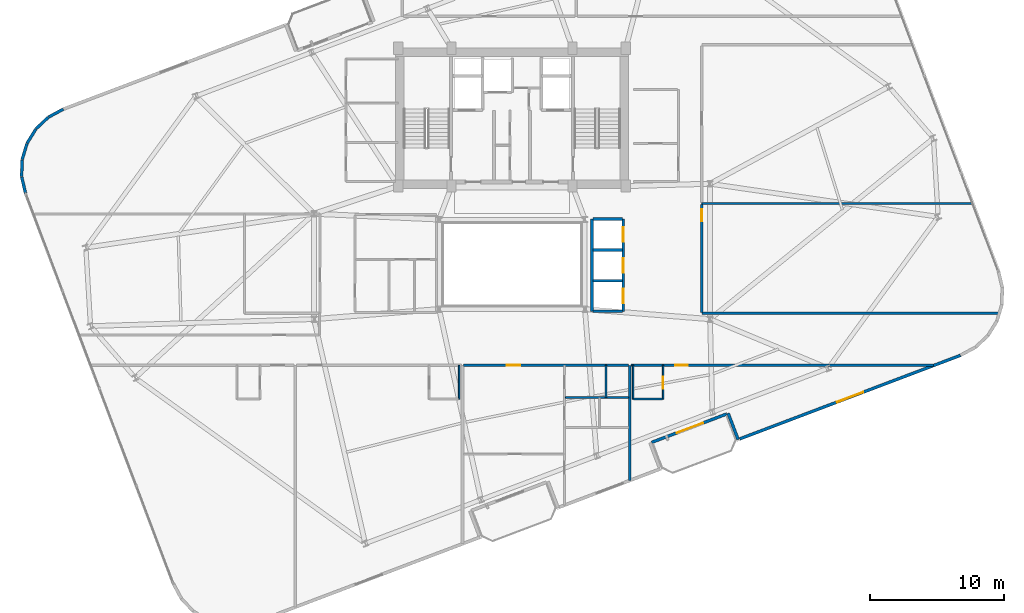
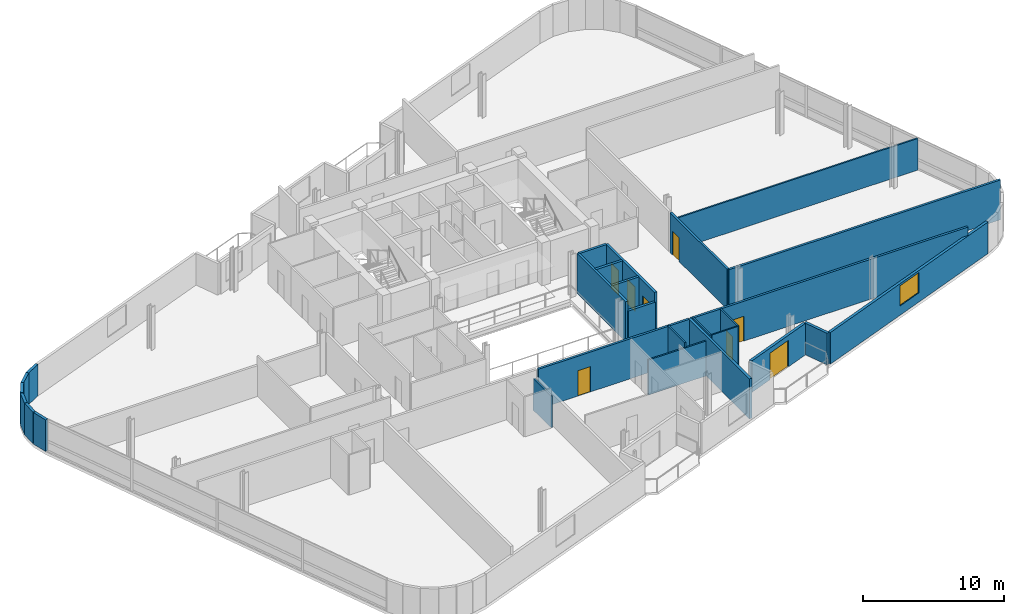
# One storey, part 15 of 20: 27 walls, 8 doors, 1 window, 9 openings.
"""IFC4 building model written with IfcOpenShell, lengths in metres."""

from ifc_helpers import new_model, si_unit, direction, frame, frame_2d, origin, place, context, subcontext, project, spatial, rectangle, extrude, material, layer, layer_set, type_object, element, fill, save


model = new_model("IFC4")

# Units and contexts
model_context = context("Model", 3, precision=1e-05, world=origin(), true_north=direction((0.0, 1.0)))
body_context = subcontext(model_context, "Body", "Model", "MODEL_VIEW")
ifc_project = project(units=[si_unit("LENGTHUNIT", "METRE"), si_unit("AREAUNIT", "SQUARE_METRE"), si_unit("VOLUMEUNIT", "CUBIC_METRE"), si_unit("PLANEANGLEUNIT", "RADIAN"), si_unit("MASSUNIT", "GRAM", prefix="KILO")], contexts=[model_context])

# Site, building, storey
site_placement = place(None, origin())
site = spatial("IfcSite", under=ifc_project, at=site_placement, CompositionType="ELEMENT")
building_placement = place(site_placement, origin())
building = spatial("IfcBuilding", under=site, at=building_placement, Name="Varnelok Gate Tower", CompositionType="ELEMENT")
storey_placement = place(building_placement, frame((0.0, 0.0, 223.800048828125)))
storey = spatial("IfcBuildingStorey", under=building, at=storey_placement, Name="L57", CompositionType="ELEMENT", Elevation=223.800048828125)

# Wall, opening, door
ifc_material_1 = material(Name="Concrete C45/55", Category="concrete")
ifc_layer_1 = layer(ifc_material_1, 0.219970703125)
ifc_layer_set_1 = layer_set([ifc_layer_1], Name="Concrete C45/55")
wall_type_1 = type_object("IfcWallType", Name="EW-BALC-220", PredefinedType="SOLIDWALL", material=ifc_layer_set_1)
wall_1_placement = place(storey_placement, frame((55.25048828125, 11.712646484375, 0.0), z_axis=(0.0, 0.0, 1.0), x_axis=(-0.935227640088, -0.354046976001, 0.0)))
wall_1 = element("IfcWall", 1, at=wall_1_placement, inside=storey, type_object=wall_type_1, Name="L57 South Terrace Envelope Wall 2", PredefinedType="SOLIDWALL", context=body_context, shape_type="SweptSolid", body=[
    extrude(rectangle(XDim=6.0, YDim=0.219970703125, at=frame_2d((3.0, 0.0))), origin(), (0.0, 0.0, 1.0), 2.72998046875),
])
opening_1_placement = place(wall_1_placement, frame((1.887939453125, 0.0, 0.0)))
opening_1 = element("IfcOpeningElement", 2, at=opening_1_placement, cuts=wall_1, Name="Opening BD-2", PredefinedType="OPENING", context=body_context, shape_type="SweptSolid", body=[
    extrude(rectangle(XDim=2.10009765625, YDim=2.300048828125, at=frame_2d((1.050048828125, 1.14990234375))), frame((0.0, 0.119873046875, 0.0), z_axis=(0.0, -1.0, 0.0), x_axis=(1.0, 0.0, 0.0)), (0.0, 0.0, 1.0), 0.239990234375),
])
ifc_material_2 = material(Name="Anodized Aluminum Alloy 6063-T6", Category="aluminium")
door_type_1 = type_object("IfcDoorType", Name="DR-EXT-SLID2100", OperationType="SLIDING_TO_LEFT", PredefinedType="DOOR", material=ifc_material_2)
door_1_placement = place(opening_1_placement, origin())
door_1 = element("IfcDoor", 3, at=door_1_placement, inside=storey, type_object=door_type_1, Name="L57 South Balcony Glazed Door 2", OperationType="SLIDING_TO_LEFT", OverallHeight=2.300048828125, OverallWidth=2.10009765625, PredefinedType="DOOR", context=body_context, shape_type="SweptSolid", body=[
    extrude(rectangle(XDim=2.10009765625, YDim=2.300048828125, at=frame_2d((1.050048828125, 1.14990234375))), frame((0.0, 0.02490234375, 0.0), z_axis=(0.0, -1.0, 0.0), x_axis=(1.0, 0.0, 0.0)), (0.0, 0.0, 1.0), 0.050048828125),
])
fill(opening_1, door_1)

# Wall
wall_2_placement = place(storey_placement, frame((55.359130859375, 11.764404296875, 0.0), z_axis=(0.0, 0.0, 1.0), x_axis=(0.354026782794, -0.935235284334, 0.0)))
element("IfcWall", 4, at=wall_2_placement, inside=storey, type_object=wall_type_1, Name="L57 Perimeter Facade Closure Wall 12", PredefinedType="SOLIDWALL", context=body_context, shape_type="SweptSolid", body=[
    extrude(rectangle(XDim=2.099853515625, YDim=0.219970703125, at=frame_2d((1.0498046875, 0.0))), origin(), (0.0, 0.0, 1.0), 2.72998046875),
])

# Wall, opening, window
wall_3_placement = place(storey_placement, frame((56.219482421875, 9.844970703125, 0.0), z_axis=(0.0, 0.0, 1.0), x_axis=(0.935225601791, 0.354052360188, 0.0)))
wall_3 = element("IfcWall", 5, at=wall_3_placement, inside=storey, type_object=wall_type_1, Name="L57 Perimeter Facade Closure Wall 13", PredefinedType="SOLIDWALL", context=body_context, shape_type="SweptSolid", body=[
    extrude(rectangle(XDim=17.647216796875, YDim=0.219970703125, at=frame_2d((8.82373046875, 0.0))), origin(), (0.0, 0.0, 1.0), 2.72998046875),
])
opening_2_placement = place(wall_3_placement, frame((7.773681640625, 0.0, 0.800048828125)))
opening_2 = element("IfcOpeningElement", 6, at=opening_2_placement, cuts=wall_3, Name="Opening WN4", PredefinedType="OPENING", context=body_context, shape_type="SweptSolid", body=[
    extrude(rectangle(XDim=2.10009765625, YDim=1.75, at=frame_2d((1.050048828125, 0.875))), frame((0.0, 0.119873046875, 0.0), z_axis=(0.0, -1.0, 0.0), x_axis=(1.0, 0.0, 0.0)), (0.0, 0.0, 1.0), 0.239990234375),
])
ifc_material_3 = material(Name="Low-E Laminated Double Glazing IGU", Category="glass")
window_type = type_object("IfcWindowType", Name="WN-SUI-2100", PartitioningType="SINGLE_PANEL", PredefinedType="WINDOW", material=ifc_material_3)
window_placement = place(opening_2_placement, origin())
window = element("IfcWindow", 7, at=window_placement, inside=storey, type_object=window_type, Name="L57 Perimeter Vision Window 13", OverallHeight=1.75, OverallWidth=2.10009765625, PartitioningType="SINGLE_PANEL", PredefinedType="WINDOW", context=body_context, shape_type="SweptSolid", body=[
    extrude(rectangle(XDim=2.10009765625, YDim=1.75, at=frame_2d((1.050048828125, 0.875))), frame((0.0, 0.030029296875, 0.0), z_axis=(0.0, -1.0, 0.0), x_axis=(1.0, 0.0, 0.0)), (0.0, 0.0, 1.0), 0.06005859375),
])
fill(opening_2, window)

# Walls
wall_4_placement = place(storey_placement, frame((5.654296875, 34.4951171875, 0.0), z_axis=(0.0, 0.0, 1.0), x_axis=(-0.88098842986, -0.473137809155, 0.0)))
element("IfcWall", 8, at=wall_4_placement, inside=storey, type_object=wall_type_1, Name="L57 Perimeter Facade Closure Wall 33", PredefinedType="SOLIDWALL", context=body_context, shape_type="SweptSolid", body=[
    extrude(rectangle(XDim=1.25634765625, YDim=0.219970703125, at=frame_2d((0.628173828125, 0.0))), origin(), (0.0, 0.0, 1.0), 2.72998046875),
])
wall_5_placement = place(storey_placement, frame((4.529052734375, 33.883544921875, 0.0), z_axis=(0.0, 0.0, 1.0), x_axis=(-0.728475443486, -0.685071914647, 0.0)))
element("IfcWall", 9, at=wall_5_placement, inside=storey, type_object=wall_type_1, Name="L57 Perimeter Facade Closure Wall 34", PredefinedType="SOLIDWALL", context=body_context, shape_type="SweptSolid", body=[
    extrude(rectangle(XDim=1.248779296875, YDim=0.219970703125, at=frame_2d((0.62451171875, 0.0))), origin(), (0.0, 0.0, 1.0), 2.72998046875),
])
wall_6_placement = place(storey_placement, frame((3.606201171875, 33.0068359375, 0.0), z_axis=(0.0, 0.0, 1.0), x_axis=(-0.526408468713, -0.850231806078, 0.0)))
element("IfcWall", 10, at=wall_6_placement, inside=storey, type_object=wall_type_1, Name="L57 Perimeter Facade Closure Wall 35", PredefinedType="SOLIDWALL", context=body_context, shape_type="SweptSolid", body=[
    extrude(rectangle(XDim=1.24853515625, YDim=0.219970703125, at=frame_2d((0.624267578125, 0.0))), origin(), (0.0, 0.0, 1.0), 2.72998046875),
])
wall_7_placement = place(storey_placement, frame((2.941650390625, 31.92138671875, 0.0), z_axis=(0.0, 0.0, 1.0), x_axis=(-0.288352095019, -0.957524448408, 0.0)))
element("IfcWall", 11, at=wall_7_placement, inside=storey, type_object=wall_type_1, Name="L57 Perimeter Facade Closure Wall 36", PredefinedType="SOLIDWALL", context=body_context, shape_type="SweptSolid", body=[
    extrude(rectangle(XDim=1.248779296875, YDim=0.219970703125, at=frame_2d((0.62451171875, 0.0))), origin(), (0.0, 0.0, 1.0), 2.72998046875),
])
wall_8_placement = place(storey_placement, frame((2.580810546875, 30.70068359375, 0.0), z_axis=(0.0, 0.0, 1.0), x_axis=(-0.030697576053, -0.999528718359, 0.0)))
element("IfcWall", 12, at=wall_8_placement, inside=storey, type_object=wall_type_1, Name="L57 Perimeter Facade Closure Wall 37", PredefinedType="SOLIDWALL", context=body_context, shape_type="SweptSolid", body=[
    extrude(rectangle(XDim=1.24853515625, YDim=0.219970703125, at=frame_2d((0.624267578125, 0.0))), origin(), (0.0, 0.0, 1.0), 2.72998046875),
])
wall_9_placement = place(storey_placement, frame((2.548095703125, 29.428466796875, 0.0), z_axis=(0.0, 0.0, 1.0), x_axis=(0.228941257463, -0.973440239887, 0.0)))
element("IfcWall", 13, at=wall_9_placement, inside=storey, type_object=wall_type_1, Name="L57 Perimeter Facade Closure Wall 38", PredefinedType="SOLIDWALL", context=body_context, shape_type="SweptSolid", body=[
    extrude(rectangle(XDim=1.248779296875, YDim=0.219970703125, at=frame_2d((0.62451171875, 0.0))), origin(), (0.0, 0.0, 1.0), 2.72998046875),
])

# Wall, opening, door
ifc_material_4 = material(Name="Gypsum Plasterboard Acoustic Partition", Category="gypsum")
ifc_layer_2 = layer(ifc_material_4, 0.179931640625)
ifc_layer_set_2 = layer_set([ifc_layer_2], Name="Gypsum Plasterboard Acoustic Partition")
wall_type_2 = type_object("IfcWallType", Name="PW-CORR-180", PredefinedType="PARTITIONING", material=ifc_layer_set_2)
wall_10_placement = place(storey_placement, frame((35.580078125, 15.35009765625, 0.0), z_axis=(0.0, 0.0, 1.0), x_axis=(1.0, 0.0, 0.0)))
wall_10 = element("IfcWall", 14, at=wall_10_placement, inside=storey, type_object=wall_type_2, Name="Interior Partition", PredefinedType="PARTITIONING", context=body_context, shape_type="SweptSolid", body=[
    extrude(rectangle(XDim=12.33984375, YDim=0.179931640625, at=frame_2d((6.169921875, 0.0))), origin(), (0.0, 0.0, 1.0), 3.449951171875),
])
opening_3_placement = place(wall_10_placement, frame((3.235107421875, 0.0, 0.0)))
opening_3 = element("IfcOpeningElement", 15, at=opening_3_placement, cuts=wall_10, Name="Opening D-AP", PredefinedType="OPENING", context=body_context, shape_type="SweptSolid", body=[
    extrude(rectangle(XDim=1.0, YDim=2.199951171875, at=frame_2d((0.5, 1.10009765625))), frame((0.0, 0.099853515625, 0.0), z_axis=(0.0, -1.0, 0.0), x_axis=(1.0, 0.0, 0.0)), (0.0, 0.0, 1.0), 0.199951171875),
])
ifc_material_5 = material(Name="Engineered Hardwood Timber", Category="wood")
door_type_2 = type_object("IfcDoorType", Name="DR-APT-1000", OperationType="NOTDEFINED", PredefinedType="DOOR", material=ifc_material_5)
door_2_placement = place(opening_3_placement, origin())
door_2 = element("IfcDoor", 16, at=door_2_placement, inside=storey, type_object=door_type_2, Name="L57 Apartment 3 Entrance Door", OperationType="SINGLE_SWING_RIGHT", OverallHeight=2.199951171875, OverallWidth=1.0, PredefinedType="DOOR", context=body_context, shape_type="SweptSolid", body=[
    extrude(rectangle(XDim=1.0, YDim=2.199951171875, at=frame_2d((0.5, 1.10009765625))), frame((0.0, 0.02490234375, 0.0), z_axis=(0.0, -1.0, 0.0), x_axis=(1.0, 0.0, 0.0)), (0.0, 0.0, 1.0), 0.050048828125),
])
fill(opening_3, door_2)

wall_11_placement = place(storey_placement, frame((48.080078125, 15.35009765625, 0.0), z_axis=(0.0, 0.0, 1.0), x_axis=(1.0, 0.0, 0.0)))
wall_11 = element("IfcWall", 17, at=wall_11_placement, inside=storey, type_object=wall_type_2, Name="Interior Partition", PredefinedType="PARTITIONING", context=body_context, shape_type="SweptSolid", body=[
    extrude(rectangle(XDim=22.624267578125, YDim=0.179931640625, at=frame_2d((11.31201171875, 0.0))), origin(), (0.0, 0.0, 1.0), 3.449951171875),
])
opening_4_placement = place(wall_11_placement, frame((3.324462890625, 0.0, 0.0)))
opening_4 = element("IfcOpeningElement", 18, at=opening_4_placement, cuts=wall_11, Name="Opening D-HT", PredefinedType="OPENING", context=body_context, shape_type="SweptSolid", body=[
    extrude(rectangle(XDim=0.949951171875, YDim=2.14990234375, at=frame_2d((0.47509765625, 1.074951171875))), frame((0.0, 0.099853515625, 0.0), z_axis=(0.0, -1.0, 0.0), x_axis=(1.0, 0.0, 0.0)), (0.0, 0.0, 1.0), 0.199951171875),
])
door_type_3 = type_object("IfcDoorType", Name="DR-HTL-950", OperationType="NOTDEFINED", PredefinedType="DOOR", material=ifc_material_5)
door_3_placement = place(opening_4_placement, origin())
door_3 = element("IfcDoor", 19, at=door_3_placement, inside=storey, type_object=door_type_3, Name="L57 Guest Room 04 Entrance Door", OperationType="SINGLE_SWING_LEFT", OverallHeight=2.14990234375, OverallWidth=0.949951171875, PredefinedType="DOOR", context=body_context, shape_type="SweptSolid", body=[
    extrude(rectangle(XDim=0.949951171875, YDim=2.14990234375, at=frame_2d((0.47509765625, 1.074951171875))), frame((0.0, 0.02490234375, 0.0), z_axis=(0.0, -1.0, 0.0), x_axis=(1.0, 0.0, 0.0)), (0.0, 0.0, 1.0), 0.050048828125),
])
fill(opening_4, door_3)

wall_12_placement = place(storey_placement, frame((53.389892578125, 19.300048828125, 0.0), z_axis=(0.0, 0.0, 1.0), x_axis=(0.0, 1.0, 0.0)))
wall_12 = element("IfcWall", 20, at=wall_12_placement, inside=storey, type_object=wall_type_2, Name="Interior Partition", PredefinedType="PARTITIONING", context=body_context, shape_type="SweptSolid", body=[
    extrude(rectangle(XDim=8.070068359375, YDim=0.179931640625, at=frame_2d((4.03515625, 0.0))), origin(), (0.0, 0.0, 1.0), 3.449951171875),
])
opening_5_placement = place(wall_12_placement, frame((6.800048828125, 0.0, 0.0)))
opening_5 = element("IfcOpeningElement", 21, at=opening_5_placement, cuts=wall_12, Name="Opening D-I3", PredefinedType="OPENING", context=body_context, shape_type="SweptSolid", body=[
    extrude(rectangle(XDim=0.919921875, YDim=2.050048828125, at=frame_2d((0.4599609375, 1.02490234375))), frame((0.0, 0.099853515625, 0.0), z_axis=(0.0, -1.0, 0.0), x_axis=(1.0, 0.0, 0.0)), (0.0, 0.0, 1.0), 0.199951171875),
])
door_type_4 = type_object("IfcDoorType", Name="DR-INT-920", OperationType="NOTDEFINED", PredefinedType="DOOR", material=ifc_material_5)
door_4_placement = place(opening_5_placement, origin())
door_4 = element("IfcDoor", 22, at=door_4_placement, inside=storey, type_object=door_type_4, Name="L57 East Suite 1 Door", OperationType="SINGLE_SWING_LEFT", OverallHeight=2.050048828125, OverallWidth=0.919921875, PredefinedType="DOOR", context=body_context, shape_type="SweptSolid", body=[
    extrude(rectangle(XDim=0.919921875, YDim=2.050048828125, at=frame_2d((0.4599609375, 1.02490234375))), frame((0.0, 0.02490234375, 0.0), z_axis=(0.0, -1.0, 0.0), x_axis=(1.0, 0.0, 0.0)), (0.0, 0.0, 1.0), 0.050048828125),
])
fill(opening_5, door_4)

# Walls
wall_13_placement = place(storey_placement, frame((53.389892578125, 19.239990234375, 0.0), z_axis=(0.0, 0.0, 1.0), x_axis=(1.0, 0.0, 0.0)))
element("IfcWall", 23, at=wall_13_placement, inside=storey, type_object=wall_type_2, Name="Interior Partition", PredefinedType="PARTITIONING", context=body_context, shape_type="SweptSolid", body=[
    extrude(rectangle(XDim=22.216552734375, YDim=0.179931640625, at=frame_2d((11.1083984375, 0.0))), origin(), (0.0, 0.0, 1.0), 3.449951171875),
])
ifc_layer_3 = layer(ifc_material_4, 0.114990234375)
ifc_layer_set_3 = layer_set([ifc_layer_3], Name="Gypsum Plasterboard Acoustic Partition")
wall_type_3 = type_object("IfcWallType", Name="PW-ENS-125", PredefinedType="PARTITIONING", material=ifc_layer_set_3)
wall_14_placement = place(storey_placement, frame((35.239990234375, 12.830078125, 0.0), z_axis=(0.0, 0.0, 1.0), x_axis=(0.0, 1.0, 0.0)))
element("IfcWall", 24, at=wall_14_placement, inside=storey, type_object=wall_type_3, Name="Interior Partition", PredefinedType="PARTITIONING", context=body_context, shape_type="SweptSolid", body=[
    extrude(rectangle(XDim=2.52001953125, YDim=0.114990234375, at=frame_2d((1.260009765625, 0.0))), origin(), (0.0, 0.0, 1.0), 2.739013671875),
])
wall_15_placement = place(storey_placement, frame((48.300048828125, 12.830078125, 0.0), z_axis=(0.0, 0.0, 1.0), x_axis=(1.0, 0.0, 0.0)))
element("IfcWall", 25, at=wall_15_placement, inside=storey, type_object=wall_type_3, Name="Interior Partition", PredefinedType="PARTITIONING", context=body_context, shape_type="SweptSolid", body=[
    extrude(rectangle(XDim=2.14990234375, YDim=0.114990234375, at=frame_2d((1.074951171875, 0.0))), origin(), (0.0, 0.0, 1.0), 3.449951171875),
])

# Wall, opening, door
wall_16_placement = place(storey_placement, frame((50.489990234375, 12.830078125, 0.0), z_axis=(0.0, 0.0, 1.0), x_axis=(0.0, 1.0, 0.0)))
wall_16 = element("IfcWall", 26, at=wall_16_placement, inside=storey, type_object=wall_type_3, Name="Interior Partition", PredefinedType="PARTITIONING", context=body_context, shape_type="SweptSolid", body=[
    extrude(rectangle(XDim=2.52001953125, YDim=0.114990234375, at=frame_2d((1.260009765625, 0.0))), origin(), (0.0, 0.0, 1.0), 3.449951171875),
])
opening_6_placement = place(wall_16_placement, frame((0.760009765625, 0.0, 0.0)))
opening_6 = element("IfcOpeningElement", 27, at=opening_6_placement, cuts=wall_16, Name="Opening D-WC", PredefinedType="OPENING", context=body_context, shape_type="SweptSolid", body=[
    extrude(rectangle(XDim=0.89990234375, YDim=2.050048828125, at=frame_2d((0.449951171875, 1.02490234375))), frame((0.0, 0.0673828125, 0.0), z_axis=(0.0, -1.0, 0.0), x_axis=(1.0, 0.0, 0.0)), (0.0, 0.0, 1.0), 0.135009765625),
])
door_type_5 = type_object("IfcDoorType", Name="DR-BATH-900", OperationType="NOTDEFINED", PredefinedType="DOOR", material=ifc_material_5)
door_5_placement = place(opening_6_placement, origin())
door_5 = element("IfcDoor", 28, at=door_5_placement, inside=storey, type_object=door_type_5, Name="L57 Guest En-Suite 04 Door", OperationType="SINGLE_SWING_LEFT", OverallHeight=2.050048828125, OverallWidth=0.89990234375, PredefinedType="DOOR", context=body_context, shape_type="SweptSolid", body=[
    extrude(rectangle(XDim=0.89990234375, YDim=2.050048828125, at=frame_2d((0.449951171875, 1.02490234375))), frame((0.0, 0.02490234375, 0.0), z_axis=(0.0, -1.0, 0.0), x_axis=(1.0, 0.0, 0.0)), (0.0, 0.0, 1.0), 0.050048828125),
])
fill(opening_6, door_5)

# Walls
wall_17_placement = place(storey_placement, frame((48.260009765625, 12.830078125, 0.0), z_axis=(0.0, 0.0, 1.0), x_axis=(0.0, 1.0, 0.0)))
element("IfcWall", 29, at=wall_17_placement, inside=storey, type_object=wall_type_3, Name="Interior Partition", PredefinedType="PARTITIONING", context=body_context, shape_type="SweptSolid", body=[
    extrude(rectangle(XDim=2.52001953125, YDim=0.114990234375, at=frame_2d((1.260009765625, 0.0))), origin(), (0.0, 0.0, 1.0), 3.449951171875),
])
ifc_layer_4 = layer(ifc_material_4, 0.125)
ifc_layer_set_4 = layer_set([ifc_layer_4], Name="Gypsum Plasterboard Acoustic Partition")
wall_type_4 = type_object("IfcWallType", Name="PW-PART-125", PredefinedType="PARTITIONING", material=ifc_layer_set_4)
wall_18_placement = place(storey_placement, frame((43.18994140625, 12.93994140625, 0.0), z_axis=(0.0, 0.0, 1.0), x_axis=(1.0, 0.0, 0.0)))
element("IfcWall", 30, at=wall_18_placement, inside=storey, type_object=wall_type_4, Name="Interior Partition", PredefinedType="PARTITIONING", context=body_context, shape_type="SweptSolid", body=[
    extrude(rectangle(XDim=4.72998046875, YDim=0.125, at=frame_2d((2.364990234375, 0.0))), origin(), (0.0, 0.0, 1.0), 3.01806640625),
])
wall_19_placement = place(storey_placement, frame((46.22998046875, 12.93994140625, 0.0), z_axis=(0.0, 0.0, 1.0), x_axis=(0.0, 1.0, 0.0)))
element("IfcWall", 31, at=wall_19_placement, inside=storey, type_object=wall_type_4, Name="Interior Partition", PredefinedType="PARTITIONING", context=body_context, shape_type="SweptSolid", body=[
    extrude(rectangle(XDim=2.41015625, YDim=0.125, at=frame_2d((1.205078125, 0.0))), origin(), (0.0, 0.0, 1.0), 3.449951171875),
])
wall_20_placement = place(storey_placement, frame((53.389892578125, 27.449951171875, 0.0), z_axis=(0.0, 0.0, 1.0), x_axis=(1.0, 0.0, 0.0)))
element("IfcWall", 32, at=wall_20_placement, inside=storey, type_object=wall_type_4, Name="Interior Partition", PredefinedType="PARTITIONING", context=body_context, shape_type="SweptSolid", body=[
    extrude(rectangle(XDim=20.19921875, YDim=0.125, at=frame_2d((10.099609375, 0.0))), origin(), (0.0, 0.0, 1.0), 2.739013671875),
])
ifc_layer_5 = layer(ifc_material_4, 0.205078125)
ifc_layer_set_5 = layer_set([ifc_layer_5], Name="Gypsum Plasterboard Acoustic Partition")
wall_type_5 = type_object("IfcWallType", Name="PW-PARTY-200", PredefinedType="PARTITIONING", material=ifc_layer_set_5)
wall_21_placement = place(storey_placement, frame((48.0, 6.75439453125, 0.0), z_axis=(0.0, 0.0, 1.0), x_axis=(0.0, 1.0, 0.0)))
element("IfcWall", 33, at=wall_21_placement, inside=storey, type_object=wall_type_5, Name="L57 South Party Wall 3", PredefinedType="PARTITIONING", context=body_context, shape_type="SweptSolid", body=[
    extrude(rectangle(XDim=8.595703125, YDim=0.205078125, at=frame_2d((4.2978515625, 0.0))), origin(), (0.0, 0.0, 1.0), 3.449951171875),
])
ifc_material_6 = material(Name="Concrete C35/45", Category="concrete")
ifc_layer_6 = layer(ifc_material_6, 0.199951171875)
ifc_layer_set_6 = layer_set([ifc_layer_6], Name="Concrete C35/45")
wall_type_6 = type_object("IfcWallType", Name="PW-SHAFT-200", PredefinedType="PARTITIONING", material=ifc_layer_set_6)
for number, where, z_axis, x_axis, name in (
    (34, (45.239990234375, 21.675048828125, 0.0), (0.0, 0.0, 1.0), (1.0, 0.0, 0.0), "L57 PH1 Divider"),
    (35, (45.239990234375, 23.97509765625, 0.0), (0.0, 0.0, 1.0), (1.0, 0.0, 0.0), "L57 PH2 Divider"),
):
    element("IfcWall", number, at=place(storey_placement, frame(where, z_axis=z_axis, x_axis=x_axis)), inside=storey, type_object=wall_type_6, Name=name, PredefinedType="PARTITIONING", context=body_context, shape_type="SweptSolid", body=[
        extrude(rectangle(XDim=2.219970703125, YDim=0.199951171875, at=frame_2d((1.10986328125, 0.0))), origin(), (0.0, 0.0, 1.0), 3.449951171875),
    ])
wall_22_placement = place(storey_placement, frame((45.239990234375, 19.3798828125, 0.0), z_axis=(0.0, 0.0, 1.0), x_axis=(1.0, 0.0, 0.0)))
element("IfcWall", 36, at=wall_22_placement, inside=storey, type_object=wall_type_6, Name="L57 PH Bank South Wall", PredefinedType="PARTITIONING", context=body_context, shape_type="SweptSolid", body=[
    extrude(rectangle(XDim=2.219970703125, YDim=0.199951171875, at=frame_2d((1.10986328125, 0.0))), origin(), (0.0, 0.0, 1.0), 2.661865234375),
])
wall_23_placement = place(storey_placement, frame((45.239990234375, 26.280029296875, 0.0), z_axis=(0.0, 0.0, 1.0), x_axis=(1.0, 0.0, 0.0)))
element("IfcWall", 37, at=wall_23_placement, inside=storey, type_object=wall_type_6, Name="L57 PH Bank North Wall", PredefinedType="PARTITIONING", context=body_context, shape_type="SweptSolid", body=[
    extrude(rectangle(XDim=2.219970703125, YDim=0.199951171875, at=frame_2d((1.10986328125, 0.0))), origin(), (0.0, 0.0, 1.0), 3.449951171875),
])
wall_24_placement = place(storey_placement, frame((45.179931640625, 19.3798828125, 0.0), z_axis=(0.0, 0.0, 1.0), x_axis=(0.0, 1.0, 0.0)))
element("IfcWall", 38, at=wall_24_placement, inside=storey, type_object=wall_type_6, Name="L57 PH Bank Atrium Wall", PredefinedType="PARTITIONING", context=body_context, shape_type="SweptSolid", body=[
    extrude(rectangle(XDim=6.900146484375, YDim=0.199951171875, at=frame_2d((3.4501953125, 0.0))), origin(), (0.0, 0.0, 1.0), 3.449951171875),
])

# Wall, openings, doors
wall_25_placement = place(storey_placement, frame((47.52001953125, 19.3798828125, 0.0), z_axis=(0.0, 0.0, 1.0), x_axis=(0.0, 1.0, 0.0)))
wall_25 = element("IfcWall", 39, at=wall_25_placement, inside=storey, type_object=wall_type_6, Name="L57 PH Bank Front Wall", PredefinedType="PARTITIONING", context=body_context, shape_type="SweptSolid", body=[
    extrude(rectangle(XDim=6.900146484375, YDim=0.199951171875, at=frame_2d((3.4501953125, 0.0))), origin(), (0.0, 0.0, 1.0), 3.449951171875),
])
opening_7_placement = place(wall_25_placement, frame((0.590087890625, 0.0, 0.0)))
opening_7 = element("IfcOpeningElement", 40, at=opening_7_placement, cuts=wall_25, Name="Opening LD-PH1", PredefinedType="OPENING", context=body_context, shape_type="SweptSolid", body=[
    extrude(rectangle(XDim=1.10009765625, YDim=2.14990234375, at=frame_2d((0.550048828125, 1.074951171875))), frame((0.0, 0.10986328125, 0.0), z_axis=(0.0, -1.0, 0.0), x_axis=(1.0, 0.0, 0.0)), (0.0, 0.0, 1.0), 0.219970703125),
])
opening_8_placement = place(wall_25_placement, frame((2.889892578125, 0.0, 0.0)))
opening_8 = element("IfcOpeningElement", 41, at=opening_8_placement, cuts=wall_25, Name="Opening LD-PH2", PredefinedType="OPENING", context=body_context, shape_type="SweptSolid", body=[
    extrude(rectangle(XDim=1.10009765625, YDim=2.14990234375, at=frame_2d((0.550048828125, 1.074951171875))), frame((0.0, 0.10986328125, 0.0), z_axis=(0.0, -1.0, 0.0), x_axis=(1.0, 0.0, 0.0)), (0.0, 0.0, 1.0), 0.219970703125),
])
opening_9_placement = place(wall_25_placement, frame((5.18994140625, 0.0, 0.0)))
opening_9 = element("IfcOpeningElement", 42, at=opening_9_placement, cuts=wall_25, Name="Opening LD-PH3", PredefinedType="OPENING", context=body_context, shape_type="SweptSolid", body=[
    extrude(rectangle(XDim=1.10009765625, YDim=2.14990234375, at=frame_2d((0.550048828125, 1.074951171875))), frame((0.0, 0.10986328125, 0.0), z_axis=(0.0, -1.0, 0.0), x_axis=(1.0, 0.0, 0.0)), (0.0, 0.0, 1.0), 0.219970703125),
])
ifc_material_7 = material(Name="Galvanized Steel Grade S350GD", Category="steel")
door_type_6 = type_object("IfcDoorType", Name="DR-LIFT-PAX1100", OperationType="SLIDING_TO_LEFT", PredefinedType="DOOR", material=ifc_material_7)
door_6_placement = place(opening_7_placement, origin())
door_6 = element("IfcDoor", 43, at=door_6_placement, inside=storey, type_object=door_type_6, Name="L57 Passenger Lift Landing Door LD-PH1", OperationType="SLIDING_TO_LEFT", OverallHeight=2.14990234375, OverallWidth=1.10009765625, PredefinedType="DOOR", context=body_context, shape_type="SweptSolid", body=[
    extrude(rectangle(XDim=1.10009765625, YDim=2.14990234375, at=frame_2d((0.550048828125, 1.074951171875))), frame((0.0, 0.02490234375, 0.0), z_axis=(0.0, -1.0, 0.0), x_axis=(1.0, 0.0, 0.0)), (0.0, 0.0, 1.0), 0.050048828125),
])
fill(opening_7, door_6)
door_7_placement = place(opening_8_placement, origin())
door_7 = element("IfcDoor", 44, at=door_7_placement, inside=storey, type_object=door_type_6, Name="L57 Passenger Lift Landing Door LD-PH2", OperationType="SLIDING_TO_LEFT", OverallHeight=2.14990234375, OverallWidth=1.10009765625, PredefinedType="DOOR", context=body_context, shape_type="SweptSolid", body=[
    extrude(rectangle(XDim=1.10009765625, YDim=2.14990234375, at=frame_2d((0.550048828125, 1.074951171875))), frame((0.0, 0.02490234375, 0.0), z_axis=(0.0, -1.0, 0.0), x_axis=(1.0, 0.0, 0.0)), (0.0, 0.0, 1.0), 0.050048828125),
])
fill(opening_8, door_7)
door_8_placement = place(opening_9_placement, origin())
door_8 = element("IfcDoor", 45, at=door_8_placement, inside=storey, type_object=door_type_6, Name="L57 Passenger Lift Landing Door LD-PH3", OperationType="SLIDING_TO_LEFT", OverallHeight=2.14990234375, OverallWidth=1.10009765625, PredefinedType="DOOR", context=body_context, shape_type="SweptSolid", body=[
    extrude(rectangle(XDim=1.10009765625, YDim=2.14990234375, at=frame_2d((0.550048828125, 1.074951171875))), frame((0.0, 0.02490234375, 0.0), z_axis=(0.0, -1.0, 0.0), x_axis=(1.0, 0.0, 0.0)), (0.0, 0.0, 1.0), 0.050048828125),
])
fill(opening_9, door_8)

save(model, "model.ifc")
